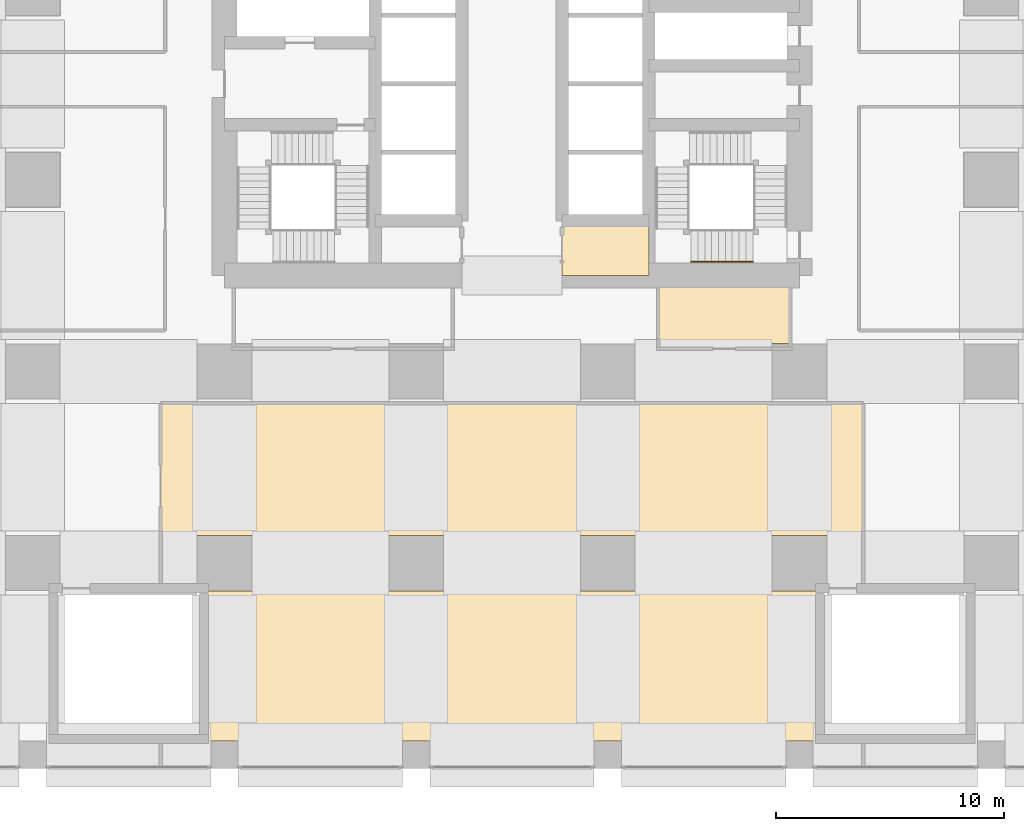
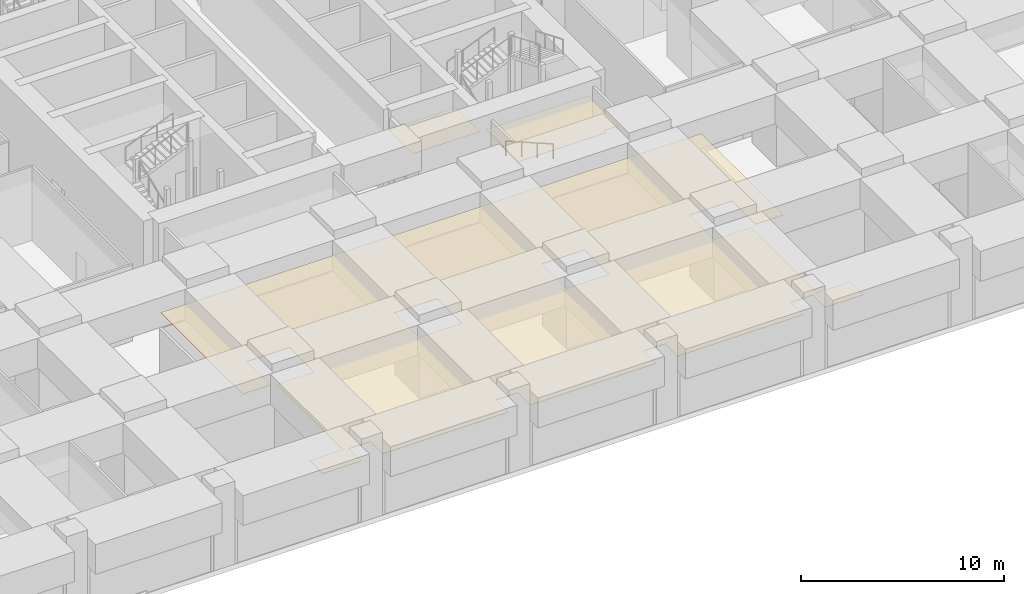
# One storey, part 46 of 52: 3 coverings, 1 railing.
"""IFC4 building model written with IfcOpenShell, lengths in metres."""

from ifc_helpers import new_model, si_unit, direction, frame, origin, origin_2d, place, context, subcontext, project, spatial, polyline, circle, outline, extrude, material, layer, layer_set, type_object, element, save


model = new_model("IFC4")

# Units and contexts
model_context = context("Model", 3, precision=1e-05, world=origin(), true_north=direction((0.0, 1.0)))
body_context = subcontext(model_context, "Body", "Model", "MODEL_VIEW")
ifc_project = project(units=[si_unit("LENGTHUNIT", "METRE"), si_unit("AREAUNIT", "SQUARE_METRE"), si_unit("VOLUMEUNIT", "CUBIC_METRE"), si_unit("PLANEANGLEUNIT", "RADIAN"), si_unit("MASSUNIT", "GRAM", prefix="KILO")], contexts=[model_context])

# Site, building, storey
site_placement = place(None, origin())
site = spatial("IfcSite", under=ifc_project, at=site_placement, CompositionType="ELEMENT")
building_placement = place(site_placement, origin())
building = spatial("IfcBuilding", under=site, at=building_placement, Name="Rekha Terrace Tower", CompositionType="ELEMENT")
storey_placement = place(building_placement, frame((0.0, 0.0, 20.39990234375)))
storey = spatial("IfcBuildingStorey", under=building, at=storey_placement, Name="L04", CompositionType="ELEMENT", Elevation=20.39990234375)

# Coverings
ifc_material_1 = material(Name="Fibre cement board", Category="finish")
ifc_layer_1 = layer(ifc_material_1, 0.014892578125)
ifc_layer_set_1 = layer_set([ifc_layer_1], Name="Fibre cement board")
covering_type_1 = type_object("IfcCoveringType", Name="CL2 moisture-resistant board ceiling", PredefinedType="CEILING", material=ifc_layer_set_1)
covering_1_placement = place(storey_placement, frame((0.0, 0.0, 3.68505859375)))
element("IfcCovering", 1, at=covering_1_placement, inside=storey, type_object=covering_type_1, Name="Ceiling L04-WCA", PredefinedType="CEILING", context=body_context, shape_type="SweptSolid", body=[
    extrude(outline(polyline([(43.800048828125, 23.39990234375), (40.0, 23.39990234375), (40.0, 21.0), (43.800048828125, 21.0), (43.800048828125, 23.39990234375)])), origin(), (0.0, 0.0, 1.0), 0.01513671875),
])
covering_2_placement = place(storey_placement, frame((0.0, 0.0, 3.68505859375)))
element("IfcCovering", 2, at=covering_2_placement, inside=storey, type_object=covering_type_1, Name="Ceiling L04-WCM2", PredefinedType="CEILING", context=body_context, shape_type="SweptSolid", body=[
    extrude(outline(polyline([(50.0, 21.0), (44.199951171875, 21.0), (44.199951171875, 17.800048828125), (49.18505859375, 17.800048828125), (49.18505859375, 18.014892578125), (50.0, 18.014892578125), (50.0, 21.0)])), origin(), (0.0, 0.0, 1.0), 0.01513671875),
])
ifc_material_2 = material(Name="Powder-coated aluminium pan", Category="aluminium")
ifc_layer_2 = layer(ifc_material_2, 0.030029296875)
ifc_layer_set_2 = layer_set([ifc_layer_2], Name="Powder-coated aluminium pan")
covering_type_2 = type_object("IfcCoveringType", Name="CL3 300x1200 metal pan ceiling", PredefinedType="CEILING", material=ifc_layer_set_2)
covering_3_placement = place(storey_placement, frame((0.0, 0.0, 3.670166015625)))
element("IfcCovering", 3, at=covering_3_placement, inside=storey, type_object=covering_type_2, Name="Ceiling L04-02", PredefinedType="CEILING", context=body_context, shape_type="SweptSolid", body=[
    extrude(outline(polyline([(24.300048828125, 7.18505859375), (24.300048828125, 0.699951171875), (22.39990234375, 0.699951171875), (22.39990234375, -0.60009765625), (24.5849609375, -0.60009765625), (24.5849609375, 0.614990234375), (25.81494140625, 0.614990234375), (25.81494140625, -0.60009765625), (32.985107421875, -0.60009765625), (32.985107421875, 0.614990234375), (34.215087890625, 0.614990234375), (34.215087890625, -0.60009765625), (41.385009765625, -0.60009765625), (41.385009765625, 0.614990234375), (42.614990234375, 0.614990234375), (42.614990234375, -0.60009765625), (49.784912109375, -0.60009765625), (49.784912109375, 0.614990234375), (51.014892578125, 0.614990234375), (51.014892578125, -0.60009765625), (53.199951171875, -0.60009765625), (53.199951171875, 0.699951171875), (51.300048828125, 0.699951171875), (51.300048828125, 7.18505859375), (49.18505859375, 7.18505859375), (49.18505859375, 9.614990234375), (51.614990234375, 9.614990234375), (51.614990234375, 7.300048828125), (53.199951171875, 7.300048828125), (53.199951171875, 15.39990234375), (22.39990234375, 15.39990234375), (22.39990234375, 7.300048828125), (23.985107421875, 7.300048828125), (23.985107421875, 9.614990234375), (26.4150390625, 9.614990234375), (26.4150390625, 7.18505859375), (24.300048828125, 7.18505859375)]), holes=[polyline([(40.784912109375, 7.18505859375), (40.784912109375, 9.614990234375), (43.215087890625, 9.614990234375), (43.215087890625, 7.18505859375), (40.784912109375, 7.18505859375)]), polyline([(34.81494140625, 7.18505859375), (32.385009765625, 7.18505859375), (32.385009765625, 9.614990234375), (34.81494140625, 9.614990234375), (34.81494140625, 7.18505859375)])]), origin(), (0.0, 0.0, 1.0), 0.030029296875),
])

# Railing
ifc_material_3 = material(Name="Stainless steel tube", Category="steel")
railing_type = type_object("IfcRailingType", Name="HR1 900 stair handrail", PredefinedType="HANDRAIL", material=ifc_material_3)
railing_placement = place(storey_placement, frame((48.35009765625, 21.610107421875, 0.125)))
element("IfcRailing", 4, at=railing_placement, inside=storey, type_object=railing_type, Name="Handrail ST3 L04 flight 1", PredefinedType="HANDRAIL", context=body_context, shape_type="SweptSolid", body=[
    extrude(circle(Radius=0.02392578125, at=origin_2d()), frame((0.0, 0.0, 0.8759765625), z_axis=(-0.923086799901, 0.0, 0.38459167938), x_axis=(0.0, -1.0, 0.0)), (0.0, 0.0, 1.0), 2.92529296875),
    extrude(circle(Radius=0.02099609375, at=origin_2d()), origin(), (0.0, 0.0, 1.0), 0.851806640625),
    extrude(circle(Radius=0.02099609375, at=origin_2d()), frame((-0.900146484375, 0.0, 0.375)), (0.0, 0.0, 1.0), 0.851806640625),
    extrude(circle(Radius=0.02099609375, at=origin_2d()), frame((-1.800048828125, 0.0, 0.75)), (0.0, 0.0, 1.0), 0.851806640625),
    extrude(circle(Radius=0.02099609375, at=origin_2d()), frame((-2.7001953125, 0.0, 1.125)), (0.0, 0.0, 1.0), 0.851806640625),
])

save(model, "model.ifc")
